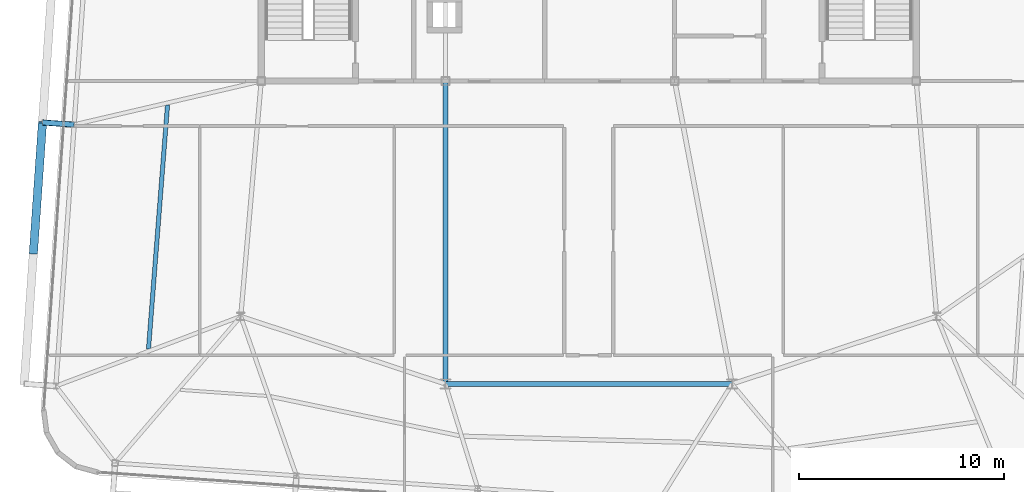
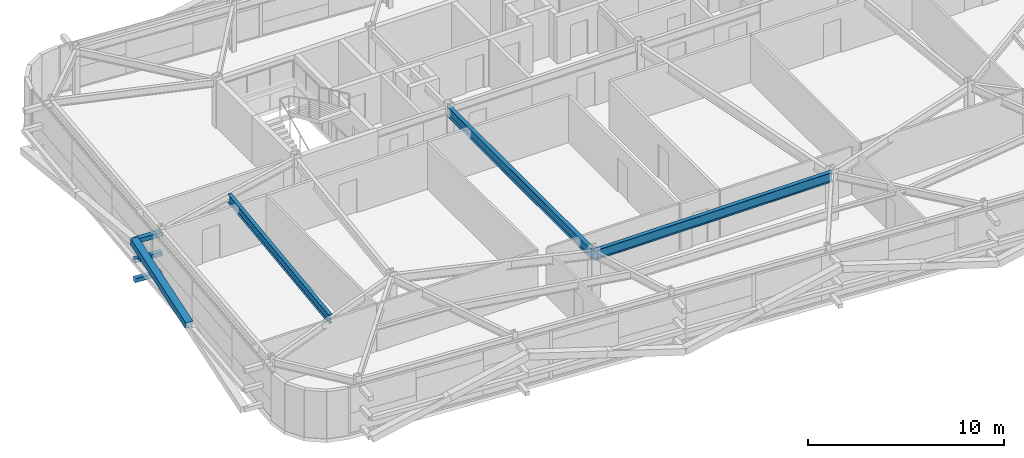
# One storey, part 10 of 39: 4 members, 3 beams.
"""IFC4 building model written with IfcOpenShell, lengths in metres."""

from ifc_helpers import new_model, si_unit, direction, frame, origin, origin_2d, place, context, subcontext, project, spatial, hollow_rectangle, i_section, extrude, source, transform, mapped, material, material_profile, profile_set, type_object, element, save


model = new_model("IFC4")

# Units and contexts
model_context = context("Model", 3, precision=1e-05, world=origin(), true_north=direction((0.0, 1.0)))
body_context = subcontext(model_context, "Body", "Model", "MODEL_VIEW")
ifc_project = project(units=[si_unit("LENGTHUNIT", "METRE"), si_unit("AREAUNIT", "SQUARE_METRE"), si_unit("VOLUMEUNIT", "CUBIC_METRE"), si_unit("PLANEANGLEUNIT", "RADIAN"), si_unit("MASSUNIT", "GRAM", prefix="KILO")], contexts=[model_context])

# Site, building, storey
site_placement = place(None, origin())
site = spatial("IfcSite", under=ifc_project, at=site_placement, CompositionType="ELEMENT")
building_placement = place(site_placement, origin())
building = spatial("IfcBuilding", under=site, at=building_placement, Name="Taldren Reach Tower", CompositionType="ELEMENT")
storey_placement = place(building_placement, frame((0.0, 0.0, 126.699951171875)))
storey = spatial("IfcBuildingStorey", under=building, at=storey_placement, Name="L38", CompositionType="ELEMENT", Elevation=126.699951171875)

# Beams
ifc_material_1 = material(Name="Steel Gr 350 (350PLUS)", Category="steel")
ifc_material_profile_1 = material_profile(ifc_material_1, i_section(OverallWidth=0.22802734375, OverallDepth=0.60205078125, WebThickness=0.010498046875, FlangeThickness=0.014892578125, at=origin_2d()), Name="610UB101")
ifc_profile_set_1 = profile_set([ifc_material_profile_1], Name="Steel Gr 350 (350PLUS)")
beam_type_1 = type_object("IfcBeamType", Name="BM-UB610B", PredefinedType="BEAM", material=ifc_profile_set_1)
shared_shape_1 = source(origin(), body_context, "Body", "SweptSolid", [
    extrude(i_section(OverallWidth=0.22802734375, OverallDepth=0.60205078125, WebThickness=0.010498046875, FlangeThickness=0.014892578125, at=origin_2d()), origin(), (0.0, 0.0, 1.0), 14.0),
])
beam_1_placement = place(storey_placement, frame((28.0, 9.199951171875, 2.629150390625), z_axis=(1.0, 0.0, 0.0), x_axis=(0.0, 1.0, 0.0)))
element("IfcBeam", 1, at=beam_1_placement, inside=storey, type_object=beam_type_1, Name="Core-spine girder L38-SP11", PredefinedType="BEAM", context=body_context, shape_type="MappedRepresentation", body=[
    mapped(shared_shape_1, transform((0.0, 0.0, 0.0), scale=1.0)),
])
shared_shape_2 = source(origin(), body_context, "Body", "SweptSolid", [
    extrude(i_section(OverallWidth=0.22802734375, OverallDepth=0.60205078125, WebThickness=0.010498046875, FlangeThickness=0.014892578125, at=origin_2d()), origin(), (0.0, 0.0, 1.0), 14.800048828125),
])
beam_2_placement = place(storey_placement, frame((28.0, 24.0, 2.629150390625), z_axis=(0.0, -1.0, 0.0), x_axis=(1.0, 0.0, 0.0)))
element("IfcBeam", 2, at=beam_2_placement, inside=storey, type_object=beam_type_1, Name="Core-spine girder L38-SP14", PredefinedType="BEAM", context=body_context, shape_type="MappedRepresentation", body=[
    mapped(shared_shape_2, transform((0.0, 0.0, 0.0), scale=1.0)),
])

# Members
ifc_material_2 = material(Name="Steel Gr 450 (C450L0)", Category="steel")
ifc_material_profile_2 = material_profile(ifc_material_2, hollow_rectangle(XDim=0.27490234375, YDim=0.27490234375, WallThickness=0.00927734375, at=origin_2d()), Name="275x275x9.3SHS")
ifc_profile_set_2 = profile_set([ifc_material_profile_2], Name="Steel Gr 450 (C450L0)")
member_type_1 = type_object("IfcMemberType", Name="MB-TIE273", PredefinedType="STRUT", material=ifc_profile_set_2)
shared_shape_3 = source(origin(), body_context, "Body", "SweptSolid", [
    extrude(hollow_rectangle(XDim=0.27490234375, YDim=0.27490234375, WallThickness=0.00927734375, at=origin_2d()), origin(), (0.0, 0.0, 1.0), 1.550048828125),
])
member_1_placement = place(storey_placement, frame((9.86181640625, 21.868408203125, 2.650146484375), z_axis=(-0.99756313426, 0.06976957191, 0.0), x_axis=(-0.06976957191, -0.99756313426, 0.0)))
element("IfcMember", 3, at=member_1_placement, inside=storey, type_object=member_type_1, Name="Exoskeleton diaphragm tie strut B3-W2 L38", PredefinedType="STRUT", context=body_context, shape_type="MappedRepresentation", body=[
    mapped(shared_shape_3, transform((0.0, 0.0, 0.0), scale=1.0)),
])
ifc_material_3 = material(Name="Steel Gr 350 (C350L0)", Category="steel")
ifc_material_profile_3 = material_profile(ifc_material_3, hollow_rectangle(XDim=0.25, YDim=0.25, WallThickness=0.010009765625, at=origin_2d()), Name="250x250x10.0SHS")
ifc_profile_set_3 = profile_set([ifc_material_profile_3], Name="Steel Gr 350 (C350L0)")
member_type_2 = type_object("IfcMemberType", Name="MB-POST250", PredefinedType="POST", material=ifc_profile_set_3)
shared_shape_4 = source(origin(), body_context, "Body", "SweptSolid", [
    extrude(hollow_rectangle(XDim=0.25, YDim=0.25, WallThickness=0.010009765625, at=origin_2d()), origin(), (0.0, 0.0, 1.0), 1.550048828125),
])
for number, where, z_axis, x_axis, name in (
    (4, (9.86181640625, 21.868408203125, 0.219970703125), (-0.99756313426, 0.06976957191, 0.0), (-0.06976957191, -0.99756313426, 0.0), "Exoskeleton base diaphragm tie strut B3-W2 L38"),
    (5, (9.86181640625, 21.868408203125, 1.43505859375), (-0.99756313426, 0.06976957191, 0.0), (-0.06976957191, -0.99756313426, 0.0), "Exoskeleton mid-tier diaphragm tie B3-W2 L38"),
):
    element("IfcMember", number, at=place(storey_placement, frame(where, z_axis=z_axis, x_axis=x_axis)), inside=storey, type_object=member_type_2, Name=name, PredefinedType="POST", context=body_context, shape_type="MappedRepresentation", body=[
        mapped(shared_shape_4, transform((0.0, 0.0, 0.0), scale=1.0)),
    ])

# Beam
ifc_material_profile_4 = material_profile(ifc_material_1, i_section(OverallWidth=0.208984375, OverallDepth=0.532958984375, WebThickness=0.01025390625, FlangeThickness=0.015625, at=origin_2d()), Name="530UB92.4")
ifc_profile_set_4 = profile_set([ifc_material_profile_4], Name="Steel Gr 350 (350PLUS)")
beam_type_2 = type_object("IfcBeamType", Name="BM-UB530A", PredefinedType="BEAM", material=ifc_profile_set_4)
shared_shape_5 = source(origin(), body_context, "Body", "SweptSolid", [
    extrude(i_section(OverallWidth=0.208984375, OverallDepth=0.532958984375, WebThickness=0.01025390625, FlangeThickness=0.015625, at=origin_2d()), origin(), (0.0, 0.0, 1.0), 11.965576171875),
])
beam_3_placement = place(storey_placement, frame((13.49267578125, 10.90478515625, 2.66357421875), z_axis=(0.077757433297, 0.996972307322, 0.0), x_axis=(-0.996972307322, 0.077757433297, 0.0)))
element("IfcBeam", 6, at=beam_3_placement, inside=storey, type_object=beam_type_2, Name="Secondary floor beam B3 J6 L38", PredefinedType="BEAM", context=body_context, shape_type="MappedRepresentation", body=[
    mapped(shared_shape_5, transform((0.0, 0.0, 0.0), scale=1.0)),
])

# Member
ifc_material_profile_5 = material_profile(ifc_material_2, hollow_rectangle(XDim=0.409912109375, YDim=0.409912109375, WallThickness=0.01611328125, at=origin_2d()), Name="410x410x16.0SHS")
ifc_profile_set_5 = profile_set([ifc_material_profile_5], Name="Steel Gr 450 (C450L0)")
member_type_3 = type_object("IfcMemberType", Name="MB-EXO406", PredefinedType="BRACE", material=ifc_profile_set_5)
shared_shape_6 = source(origin(), body_context, "Body", "SweptSolid", [
    extrude(hollow_rectangle(XDim=0.409912109375, YDim=0.409912109375, WallThickness=0.01611328125, at=origin_2d()), origin(), (0.0, 0.0, 1.0), 6.514404296875),
])
member_2_placement = place(storey_placement, frame((7.869140625, 15.592041015625, 1.43505859375), z_axis=(0.068507825937, 0.980059166346, 0.186522674885), x_axis=(-0.997565791441, 0.069731569223, 0.0)))
element("IfcMember", 7, at=member_2_placement, inside=storey, type_object=member_type_3, Name="Exoskeleton Diagrid Brace B3-W1 L38", PredefinedType="BRACE", context=body_context, shape_type="MappedRepresentation", body=[
    mapped(shared_shape_6, transform((0.0, 0.0, 0.0), scale=1.0)),
])

save(model, "model.ifc")
